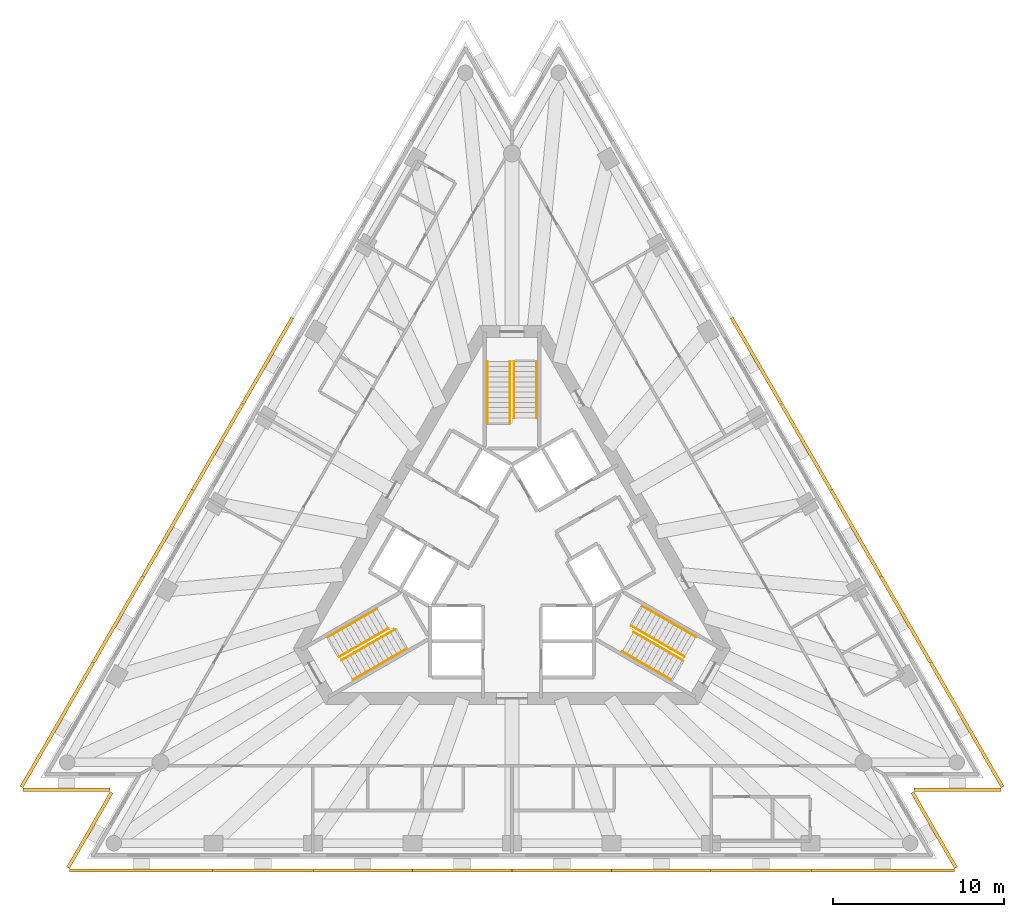
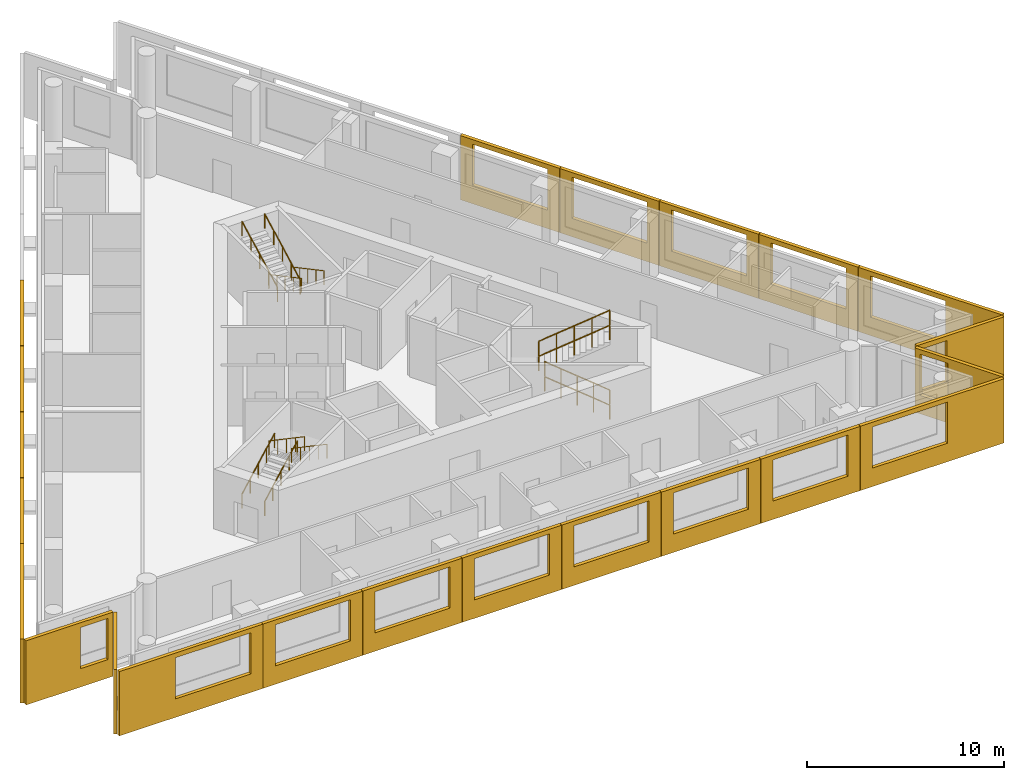
# One storey, part 9 of 10: 22 shading devices, 12 railings, 3 elements without a shape of their own.
"""IFC4 building model written with IfcOpenShell, lengths in metres."""

from ifc_helpers import new_model, si_unit, direction, frame, origin, origin_2d, place, context, subcontext, project, spatial, polyline, circle, outline, extrude, material, layer, layer_set, type_object, element, aggregate, save


model = new_model("IFC4")

# Units and contexts
model_context = context("Model", 3, precision=1e-05, world=origin(), true_north=direction((0.0, 1.0)))
body_context = subcontext(model_context, "Body", "Model", "MODEL_VIEW")
ifc_project = project(units=[si_unit("LENGTHUNIT", "METRE"), si_unit("AREAUNIT", "SQUARE_METRE"), si_unit("VOLUMEUNIT", "CUBIC_METRE"), si_unit("PLANEANGLEUNIT", "RADIAN"), si_unit("MASSUNIT", "GRAM", prefix="KILO")], contexts=[model_context])

# Site, building, storey
site_placement = place(None, origin())
site = spatial("IfcSite", under=ifc_project, at=site_placement, CompositionType="ELEMENT")
building_placement = place(site_placement, origin())
building = spatial("IfcBuilding", under=site, at=building_placement, Name="Triada Interchange Tower", CompositionType="ELEMENT")
storey_placement = place(building_placement, frame((0.0, 0.0, 239.300048828125)))
storey = spatial("IfcBuildingStorey", under=building, at=storey_placement, Name="L56", CompositionType="ELEMENT", Elevation=239.300048828125)

# Shading devices
ifc_material_1 = material(Name="Concrete C50/60 precast", Category="concrete")
ifc_layer_1 = layer(ifc_material_1, 0.02001953125, Name="Exposed aggregate face")
ifc_layer_2 = layer(ifc_material_1, 0.179931640625, Name="Precast concrete screen")
ifc_layer_set = layer_set([ifc_layer_1, ifc_layer_2], Name="Outer skin screen panel 3980")
shading_device_type = type_object("IfcShadingDeviceType", Name="Outer skin screen panel 3980", PredefinedType="SHUTTER", material=ifc_layer_set)
shading_device_1_placement = place(storey_placement, frame((-12.784912109375, 14.10498046875, -0.2900390625), z_axis=(0.0, 0.0, 1.0), x_axis=(-0.499956362902, -0.866050596209, 0.0)))
element("IfcShadingDevice", 1, at=shading_device_1_placement, inside=storey, type_object=shading_device_type, Name="Outer skin screen panel L56 04", PredefinedType="SHUTTER", context=body_context, shape_type="SweptSolid", body=[
    extrude(outline(polyline([(0.0, 0.0), (5.8125, 0.0), (5.8125, 3.97998046875), (0.0, 3.97998046875), (0.0, 0.0)]), holes=[polyline([(0.70654296875, 1.139892578125), (0.70654296875, 3.68994140625), (5.106689453125, 3.68994140625), (5.106689453125, 1.139892578125), (0.70654296875, 1.139892578125)])]), frame((0.0, 0.0, 0.0), z_axis=(0.0, -1.0, 0.0), x_axis=(1.0, 0.0, 0.0)), (0.0, 0.0, 1.0), 0.199951171875),
])
shading_device_2_placement = place(storey_placement, frame((-15.700927734375, 9.052978515625, -0.2900390625), z_axis=(0.0, 0.0, 1.0), x_axis=(-0.499956362902, -0.866050596209, 0.0)))
element("IfcShadingDevice", 2, at=shading_device_2_placement, inside=storey, type_object=shading_device_type, Name="Outer skin screen panel L56 05", PredefinedType="SHUTTER", context=body_context, shape_type="SweptSolid", body=[
    extrude(outline(polyline([(0.0, 0.0), (5.8125, 0.0), (5.8125, 3.97998046875), (0.0, 3.97998046875), (0.0, 0.0)]), holes=[polyline([(0.7060546875, 1.139892578125), (0.7060546875, 3.68994140625), (5.10595703125, 3.68994140625), (5.10595703125, 1.139892578125), (0.7060546875, 1.139892578125)])]), frame((0.0, 0.0, 0.0), z_axis=(0.0, -1.0, 0.0), x_axis=(1.0, 0.0, 0.0)), (0.0, 0.0, 1.0), 0.199951171875),
])
shading_device_3_placement = place(storey_placement, frame((-18.616943359375, 4.001953125, -0.2900390625), z_axis=(0.0, 0.0, 1.0), x_axis=(-0.500082362009, -0.865977846834, 0.0)))
element("IfcShadingDevice", 3, at=shading_device_3_placement, inside=storey, type_object=shading_device_type, Name="Outer skin screen panel L56 06", PredefinedType="SHUTTER", context=body_context, shape_type="SweptSolid", body=[
    extrude(outline(polyline([(0.0, 0.0), (5.81298828125, 0.0), (5.81298828125, 3.97998046875), (0.0, 3.97998046875), (0.0, 0.0)]), holes=[polyline([(0.706298828125, 1.139892578125), (0.706298828125, 3.68994140625), (5.106201171875, 3.68994140625), (5.106201171875, 1.139892578125), (0.706298828125, 1.139892578125)])]), frame((0.0, 0.0, 0.0), z_axis=(0.0, -1.0, 0.0), x_axis=(1.0, 0.0, 0.0)), (0.0, 0.0, 1.0), 0.199951171875),
])
shading_device_4_placement = place(storey_placement, frame((-21.533935546875, -1.049072265625, -0.2900390625), z_axis=(0.0, 0.0, 1.0), x_axis=(-0.499956362902, -0.866050596209, 0.0)))
element("IfcShadingDevice", 4, at=shading_device_4_placement, inside=storey, type_object=shading_device_type, Name="Outer skin screen panel L56 07", PredefinedType="SHUTTER", context=body_context, shape_type="SweptSolid", body=[
    extrude(outline(polyline([(0.0, 0.0), (5.8125, 0.0), (5.8125, 3.97998046875), (0.0, 3.97998046875), (0.0, 0.0)]), holes=[polyline([(0.706787109375, 1.139892578125), (0.706787109375, 3.68994140625), (5.106689453125, 3.68994140625), (5.106689453125, 1.139892578125), (0.706787109375, 1.139892578125)])]), frame((0.0, 0.0, 0.0), z_axis=(0.0, -1.0, 0.0), x_axis=(1.0, 0.0, 0.0)), (0.0, 0.0, 1.0), 0.199951171875),
])
shading_device_5_placement = place(storey_placement, frame((-24.449951171875, -6.10009765625, -0.2900390625), z_axis=(0.0, 0.0, 1.0), x_axis=(-0.499972889028, -0.866041055745, 0.0)))
element("IfcShadingDevice", 5, at=shading_device_5_placement, inside=storey, type_object=shading_device_type, Name="Outer skin screen panel L56 08", PredefinedType="SHUTTER", context=body_context, shape_type="SweptSolid", body=[
    extrude(outline(polyline([(0.0, 0.0), (8.41064453125, 0.0), (8.41064453125, 3.97998046875), (0.0, 3.97998046875), (0.0, 0.0)]), holes=[polyline([(0.7060546875, 1.139892578125), (0.7060546875, 3.68994140625), (5.106201171875, 3.68994140625), (5.106201171875, 1.139892578125), (0.7060546875, 1.139892578125)])]), frame((0.0, 0.0, 0.0), z_axis=(0.0, -1.0, 0.0), x_axis=(1.0, 0.0, 0.0)), (0.0, 0.0, 1.0), 0.199951171875),
])
shading_device_6_placement = place(storey_placement, frame((-28.64990234375, -13.39306640625, -0.2900390625), z_axis=(0.0, 0.0, 1.0), x_axis=(1.0, 0.0, 0.0)))
element("IfcShadingDevice", 6, at=shading_device_6_placement, inside=storey, type_object=shading_device_type, Name="Outer skin screen panel L56 09", PredefinedType="SHUTTER", context=body_context, shape_type="SweptSolid", body=[
    extrude(outline(polyline([(0.0, 0.0), (5.096923828125, 0.0), (5.096923828125, 3.97998046875), (0.0, 3.97998046875), (0.0, 0.0)]), holes=[polyline([(3.175048828125, 1.139892578125), (3.175048828125, 3.68994140625), (4.797119140625, 3.68994140625), (4.797119140625, 1.139892578125), (3.175048828125, 1.139892578125)])]), frame((0.0, 0.0, 0.0), z_axis=(0.0, -1.0, 0.0), x_axis=(1.0, 0.0, 0.0)), (0.0, 0.0, 1.0), 0.199951171875),
])
shading_device_7_placement = place(storey_placement, frame((-23.375, -13.701904296875, -0.2900390625), z_axis=(0.0, 0.0, 1.0), x_axis=(-0.500029339395, -0.866008464014, 0.0)))
element("IfcShadingDevice", 7, at=shading_device_7_placement, inside=storey, type_object=shading_device_type, Name="Outer skin screen panel L56 10", PredefinedType="SHUTTER", context=body_context, shape_type="SweptSolid", body=[
    extrude(outline(polyline([(0.0, 0.0), (5.095947265625, 0.0), (5.095947265625, 3.97998046875), (0.0, 3.97998046875), (0.0, 0.0)]), holes=[polyline([(0.300048828125, 1.139892578125), (0.300048828125, 3.68994140625), (1.7578125, 3.68994140625), (1.7578125, 1.139892578125), (0.300048828125, 1.139892578125)])]), frame((0.0, 0.0, 0.0), z_axis=(0.0, -1.0, 0.0), x_axis=(1.0, 0.0, 0.0)), (0.0, 0.0, 1.0), 0.199951171875),
])
shading_device_8_placement = place(storey_placement, frame((-25.91796875, -18.1240234375, -0.2900390625), z_axis=(0.0, 0.0, 1.0), x_axis=(1.0, 0.0, 0.0)))
element("IfcShadingDevice", 8, at=shading_device_8_placement, inside=storey, type_object=shading_device_type, Name="Outer skin screen panel L56 11", PredefinedType="SHUTTER", context=body_context, shape_type="SweptSolid", body=[
    extrude(outline(polyline([(0.0, 0.0), (8.409912109375, 0.0), (8.409912109375, 3.97998046875), (0.0, 3.97998046875), (0.0, 0.0)]), holes=[polyline([(3.303955078125, 1.139892578125), (3.303955078125, 3.68994140625), (7.7041015625, 3.68994140625), (7.7041015625, 1.139892578125), (3.303955078125, 1.139892578125)])]), frame((0.0, 0.0, 0.0), z_axis=(0.0, -1.0, 0.0), x_axis=(1.0, 0.0, 0.0)), (0.0, 0.0, 1.0), 0.199951171875),
])
shading_device_9_placement = place(storey_placement, frame((-17.487060546875, -18.1240234375, -0.2900390625), z_axis=(0.0, 0.0, 1.0), x_axis=(1.0, 0.0, 0.0)))
element("IfcShadingDevice", 9, at=shading_device_9_placement, inside=storey, type_object=shading_device_type, Name="Outer skin screen panel L56 12", PredefinedType="SHUTTER", context=body_context, shape_type="SweptSolid", body=[
    extrude(outline(polyline([(0.0, 0.0), (5.81201171875, 0.0), (5.81201171875, 3.97998046875), (0.0, 3.97998046875), (0.0, 0.0)]), holes=[polyline([(0.70654296875, 1.139892578125), (0.70654296875, 3.68994140625), (5.1064453125, 3.68994140625), (5.1064453125, 1.139892578125), (0.70654296875, 1.139892578125)])]), frame((0.0, 0.0, 0.0), z_axis=(0.0, -1.0, 0.0), x_axis=(1.0, 0.0, 0.0)), (0.0, 0.0, 1.0), 0.199951171875),
])
shading_device_10_placement = place(storey_placement, frame((-11.655029296875, -18.1240234375, -0.2900390625), z_axis=(0.0, 0.0, 1.0), x_axis=(1.0, 0.0, 0.0)))
element("IfcShadingDevice", 10, at=shading_device_10_placement, inside=storey, type_object=shading_device_type, Name="Outer skin screen panel L56 13", PredefinedType="SHUTTER", context=body_context, shape_type="SweptSolid", body=[
    extrude(outline(polyline([(0.0, 0.0), (5.81201171875, 0.0), (5.81201171875, 3.97998046875), (0.0, 3.97998046875), (0.0, 0.0)]), holes=[polyline([(0.7060546875, 1.139892578125), (0.7060546875, 3.68994140625), (5.10595703125, 3.68994140625), (5.10595703125, 1.139892578125), (0.7060546875, 1.139892578125)])]), frame((0.0, 0.0, 0.0), z_axis=(0.0, -1.0, 0.0), x_axis=(1.0, 0.0, 0.0)), (0.0, 0.0, 1.0), 0.199951171875),
])
shading_device_11_placement = place(storey_placement, frame((-5.822021484375, -18.1240234375, -0.2900390625), z_axis=(0.0, 0.0, 1.0), x_axis=(1.0, 0.0, 0.0)))
element("IfcShadingDevice", 11, at=shading_device_11_placement, inside=storey, type_object=shading_device_type, Name="Outer skin screen panel L56 14", PredefinedType="SHUTTER", context=body_context, shape_type="SweptSolid", body=[
    extrude(outline(polyline([(0.0, 0.0), (5.81201171875, 0.0), (5.81201171875, 3.97998046875), (0.0, 3.97998046875), (0.0, 0.0)]), holes=[polyline([(0.70654296875, 1.139892578125), (0.70654296875, 3.68994140625), (5.1064453125, 3.68994140625), (5.1064453125, 1.139892578125), (0.70654296875, 1.139892578125)])]), frame((0.0, 0.0, 0.0), z_axis=(0.0, -1.0, 0.0), x_axis=(1.0, 0.0, 0.0)), (0.0, 0.0, 1.0), 0.199951171875),
])
shading_device_12_placement = place(storey_placement, frame((0.010009765625, -18.1240234375, -0.2900390625), z_axis=(0.0, 0.0, 1.0), x_axis=(1.0, 0.0, 0.0)))
element("IfcShadingDevice", 12, at=shading_device_12_placement, inside=storey, type_object=shading_device_type, Name="Outer skin screen panel L56 15", PredefinedType="SHUTTER", context=body_context, shape_type="SweptSolid", body=[
    extrude(outline(polyline([(0.0, 0.0), (5.81201171875, 0.0), (5.81201171875, 3.97998046875), (0.0, 3.97998046875), (0.0, 0.0)]), holes=[polyline([(0.7060546875, 1.139892578125), (0.7060546875, 3.68994140625), (5.10595703125, 3.68994140625), (5.10595703125, 1.139892578125), (0.7060546875, 1.139892578125)])]), frame((0.0, 0.0, 0.0), z_axis=(0.0, -1.0, 0.0), x_axis=(1.0, 0.0, 0.0)), (0.0, 0.0, 1.0), 0.199951171875),
])
shading_device_13_placement = place(storey_placement, frame((5.843017578125, -18.1240234375, -0.2900390625), z_axis=(0.0, 0.0, 1.0), x_axis=(1.0, 0.0, 0.0)))
element("IfcShadingDevice", 13, at=shading_device_13_placement, inside=storey, type_object=shading_device_type, Name="Outer skin screen panel L56 16", PredefinedType="SHUTTER", context=body_context, shape_type="SweptSolid", body=[
    extrude(outline(polyline([(0.0, 0.0), (5.81201171875, 0.0), (5.81201171875, 3.97998046875), (0.0, 3.97998046875), (0.0, 0.0)]), holes=[polyline([(0.70654296875, 1.139892578125), (0.70654296875, 3.68994140625), (5.1064453125, 3.68994140625), (5.1064453125, 1.139892578125), (0.70654296875, 1.139892578125)])]), frame((0.0, 0.0, 0.0), z_axis=(0.0, -1.0, 0.0), x_axis=(1.0, 0.0, 0.0)), (0.0, 0.0, 1.0), 0.199951171875),
])
shading_device_14_placement = place(storey_placement, frame((11.675048828125, -18.1240234375, -0.2900390625), z_axis=(0.0, 0.0, 1.0), x_axis=(1.0, 0.0, 0.0)))
element("IfcShadingDevice", 14, at=shading_device_14_placement, inside=storey, type_object=shading_device_type, Name="Outer skin screen panel L56 17", PredefinedType="SHUTTER", context=body_context, shape_type="SweptSolid", body=[
    extrude(outline(polyline([(0.0, 0.0), (5.81298828125, 0.0), (5.81298828125, 3.97998046875), (0.0, 3.97998046875), (0.0, 0.0)]), holes=[polyline([(0.7060546875, 1.139892578125), (0.7060546875, 3.68994140625), (5.10595703125, 3.68994140625), (5.10595703125, 1.139892578125), (0.7060546875, 1.139892578125)])]), frame((0.0, 0.0, 0.0), z_axis=(0.0, -1.0, 0.0), x_axis=(1.0, 0.0, 0.0)), (0.0, 0.0, 1.0), 0.199951171875),
])
shading_device_15_placement = place(storey_placement, frame((17.507080078125, -18.1240234375, -0.2900390625), z_axis=(0.0, 0.0, 1.0), x_axis=(1.0, 0.0, 0.0)))
element("IfcShadingDevice", 15, at=shading_device_15_placement, inside=storey, type_object=shading_device_type, Name="Outer skin screen panel L56 18", PredefinedType="SHUTTER", context=body_context, shape_type="SweptSolid", body=[
    extrude(outline(polyline([(0.0, 0.0), (8.410888671875, 0.0), (8.410888671875, 3.97998046875), (0.0, 3.97998046875), (0.0, 0.0)]), holes=[polyline([(0.70654296875, 1.139892578125), (0.70654296875, 3.68994140625), (5.1064453125, 3.68994140625), (5.1064453125, 1.139892578125), (0.70654296875, 1.139892578125)])]), frame((0.0, 0.0, 0.0), z_axis=(0.0, -1.0, 0.0), x_axis=(1.0, 0.0, 0.0)), (0.0, 0.0, 1.0), 0.199951171875),
])
shading_device_16_placement = place(storey_placement, frame((25.923095703125, -18.114990234375, -0.2900390625), z_axis=(0.0, 0.0, 1.0), x_axis=(-0.500029339395, 0.866008464014, 0.0)))
element("IfcShadingDevice", 16, at=shading_device_16_placement, inside=storey, type_object=shading_device_type, Name="Outer skin screen panel L56 19", PredefinedType="SHUTTER", context=body_context, shape_type="SweptSolid", body=[
    extrude(outline(polyline([(0.0, 0.0), (5.095947265625, 0.0), (5.095947265625, 3.97998046875), (0.0, 3.97998046875), (0.0, 0.0)]), holes=[polyline([(3.17529296875, 1.139892578125), (3.17529296875, 3.68994140625), (4.79638671875, 3.68994140625), (4.79638671875, 1.139892578125), (3.17529296875, 1.139892578125)])]), frame((0.0, 0.0, 0.0), z_axis=(0.0, -1.0, 0.0), x_axis=(1.0, 0.0, 0.0)), (0.0, 0.0, 1.0), 0.199951171875),
])
shading_device_17_placement = place(storey_placement, frame((23.552978515625, -13.39306640625, -0.2900390625), z_axis=(0.0, 0.0, 1.0), x_axis=(1.0, 0.0, 0.0)))
element("IfcShadingDevice", 17, at=shading_device_17_placement, inside=storey, type_object=shading_device_type, Name="Outer skin screen panel L56 20", PredefinedType="SHUTTER", context=body_context, shape_type="SweptSolid", body=[
    extrude(outline(polyline([(0.0, 0.0), (5.096923828125, 0.0), (5.096923828125, 3.97998046875), (0.0, 3.97998046875), (0.0, 0.0)]), holes=[polyline([(0.300048828125, 1.139892578125), (0.300048828125, 3.68994140625), (1.758056640625, 3.68994140625), (1.758056640625, 1.139892578125), (0.300048828125, 1.139892578125)])]), frame((0.0, 0.0, 0.0), z_axis=(0.0, -1.0, 0.0), x_axis=(1.0, 0.0, 0.0)), (0.0, 0.0, 1.0), 0.199951171875),
])
shading_device_18_placement = place(storey_placement, frame((28.655029296875, -13.384033203125, -0.2900390625), z_axis=(0.0, 0.0, 1.0), x_axis=(-0.499972889028, 0.866041055745, 0.0)))
element("IfcShadingDevice", 18, at=shading_device_18_placement, inside=storey, type_object=shading_device_type, Name="Outer skin screen panel L56 21", PredefinedType="SHUTTER", context=body_context, shape_type="SweptSolid", body=[
    extrude(outline(polyline([(0.0, 0.0), (8.41064453125, 0.0), (8.41064453125, 3.97998046875), (0.0, 3.97998046875), (0.0, 0.0)]), holes=[polyline([(3.30419921875, 1.139892578125), (3.30419921875, 3.68994140625), (7.704345703125, 3.68994140625), (7.704345703125, 1.139892578125), (3.30419921875, 1.139892578125)])]), frame((0.0, 0.0, 0.0), z_axis=(0.0, -1.0, 0.0), x_axis=(1.0, 0.0, 0.0)), (0.0, 0.0, 1.0), 0.199951171875),
])
shading_device_19_placement = place(storey_placement, frame((24.43994140625, -6.0830078125, -0.2900390625), z_axis=(0.0, 0.0, 1.0), x_axis=(-0.499956362902, 0.866050596209, 0.0)))
element("IfcShadingDevice", 19, at=shading_device_19_placement, inside=storey, type_object=shading_device_type, Name="Outer skin screen panel L56 22", PredefinedType="SHUTTER", context=body_context, shape_type="SweptSolid", body=[
    extrude(outline(polyline([(0.0, 0.0), (5.8125, 0.0), (5.8125, 3.97998046875), (0.0, 3.97998046875), (0.0, 0.0)]), holes=[polyline([(0.70654296875, 1.139892578125), (0.70654296875, 3.68994140625), (5.106689453125, 3.68994140625), (5.106689453125, 1.139892578125), (0.70654296875, 1.139892578125)])]), frame((0.0, 0.0, 0.0), z_axis=(0.0, -1.0, 0.0), x_axis=(1.0, 0.0, 0.0)), (0.0, 0.0, 1.0), 0.199951171875),
])
shading_device_20_placement = place(storey_placement, frame((21.52392578125, -1.031982421875, -0.2900390625), z_axis=(0.0, 0.0, 1.0), x_axis=(-0.500082362009, 0.865977846834, 0.0)))
element("IfcShadingDevice", 20, at=shading_device_20_placement, inside=storey, type_object=shading_device_type, Name="Outer skin screen panel L56 23", PredefinedType="SHUTTER", context=body_context, shape_type="SweptSolid", body=[
    extrude(outline(polyline([(0.0, 0.0), (5.81298828125, 0.0), (5.81298828125, 3.97998046875), (0.0, 3.97998046875), (0.0, 0.0)]), holes=[polyline([(0.7060546875, 1.139892578125), (0.7060546875, 3.68994140625), (5.10595703125, 3.68994140625), (5.10595703125, 1.139892578125), (0.7060546875, 1.139892578125)])]), frame((0.0, 0.0, 0.0), z_axis=(0.0, -1.0, 0.0), x_axis=(1.0, 0.0, 0.0)), (0.0, 0.0, 1.0), 0.199951171875),
])
shading_device_21_placement = place(storey_placement, frame((18.60693359375, 4.01904296875, -0.2900390625), z_axis=(0.0, 0.0, 1.0), x_axis=(-0.499956362902, 0.866050596209, 0.0)))
element("IfcShadingDevice", 21, at=shading_device_21_placement, inside=storey, type_object=shading_device_type, Name="Outer skin screen panel L56 24", PredefinedType="SHUTTER", context=body_context, shape_type="SweptSolid", body=[
    extrude(outline(polyline([(0.0, 0.0), (5.8125, 0.0), (5.8125, 3.97998046875), (0.0, 3.97998046875), (0.0, 0.0)]), holes=[polyline([(0.706298828125, 1.139892578125), (0.706298828125, 3.68994140625), (5.106201171875, 3.68994140625), (5.106201171875, 1.139892578125), (0.706298828125, 1.139892578125)])]), frame((0.0, 0.0, 0.0), z_axis=(0.0, -1.0, 0.0), x_axis=(1.0, 0.0, 0.0)), (0.0, 0.0, 1.0), 0.199951171875),
])
shading_device_22_placement = place(storey_placement, frame((15.69091796875, 9.071044921875, -0.2900390625), z_axis=(0.0, 0.0, 1.0), x_axis=(-0.499956362902, 0.866050596209, 0.0)))
element("IfcShadingDevice", 22, at=shading_device_22_placement, inside=storey, type_object=shading_device_type, Name="Outer skin screen panel L56 25", PredefinedType="SHUTTER", context=body_context, shape_type="SweptSolid", body=[
    extrude(outline(polyline([(0.0, 0.0), (5.8125, 0.0), (5.8125, 3.97998046875), (0.0, 3.97998046875), (0.0, 0.0)]), holes=[polyline([(0.706787109375, 1.139892578125), (0.706787109375, 3.68994140625), (5.106689453125, 3.68994140625), (5.106689453125, 1.139892578125), (0.706787109375, 1.139892578125)])]), frame((0.0, 0.0, 0.0), z_axis=(0.0, -1.0, 0.0), x_axis=(1.0, 0.0, 0.0)), (0.0, 0.0, 1.0), 0.199951171875),
])

# Stair, railings
ifc_material_2 = material(Name="Concrete C35/45", Category="concrete")
stair_type = type_object("IfcStairType", Name="HALF TURN STAIR 1400", PredefinedType="HALF_TURN_STAIR", material=ifc_material_2)
stair_1_placement = place(storey_placement, origin())
stair_1 = element("IfcStair", 23, at=stair_1_placement, inside=storey, type_object=stair_type, Name="Exit stair S56-1", PredefinedType="HALF_TURN_STAIR")
ifc_material_3 = material(Name="Stainless steel 1.4301", Category="steel")
railing_type = type_object("IfcRailingType", Name="STAIR HANDRAIL 900", PredefinedType="HANDRAIL", material=ifc_material_3)
railing_1_placement = place(storey_placement, frame((1.449951171875, 11.60009765625, 0.159912109375)))
railing_1 = element("IfcRailing", 24, at=railing_1_placement, type_object=railing_type, Name="Handrail S56-1 1W", PredefinedType="HANDRAIL", context=body_context, shape_type="SweptSolid", body=[
    extrude(circle(Radius=0.02392578125, at=origin_2d()), frame((0.0, 0.0, 0.8759765625), z_axis=(0.0, -0.882354748157, 0.47058484719), x_axis=(1.0, 0.0, 0.0)), (0.0, 0.0, 1.0), 3.739990234375),
    extrude(circle(Radius=0.02099609375, at=origin_2d()), origin(), (0.0, 0.0, 1.0), 0.851806640625),
    extrude(circle(Radius=0.02099609375, at=origin_2d()), frame((0.0, -0.824951171875, 0.43994140625)), (0.0, 0.0, 1.0), 0.851806640625),
    extrude(circle(Radius=0.02099609375, at=origin_2d()), frame((0.0, -1.64990234375, 0.8798828125)), (0.0, 0.0, 1.0), 0.851806640625),
    extrude(circle(Radius=0.02099609375, at=origin_2d()), frame((0.0, -2.47509765625, 1.320068359375)), (0.0, 0.0, 1.0), 0.851806640625),
    extrude(circle(Radius=0.02099609375, at=origin_2d()), frame((0.0, -3.300048828125, 1.760009765625)), (0.0, 0.0, 1.0), 0.851806640625),
])
railing_2_placement = place(storey_placement, frame((0.1201171875, 11.60009765625, 0.159912109375)))
railing_2 = element("IfcRailing", 25, at=railing_2_placement, type_object=railing_type, Name="Handrail S56-1 1C", PredefinedType="HANDRAIL", context=body_context, shape_type="SweptSolid", body=[
    extrude(circle(Radius=0.02392578125, at=origin_2d()), frame((0.0, 0.0, 0.8759765625), z_axis=(0.0, -0.882354748157, 0.47058484719), x_axis=(1.0, 0.0, 0.0)), (0.0, 0.0, 1.0), 3.739990234375),
    extrude(circle(Radius=0.02099609375, at=origin_2d()), origin(), (0.0, 0.0, 1.0), 0.851806640625),
    extrude(circle(Radius=0.02099609375, at=origin_2d()), frame((0.0, -0.824951171875, 0.43994140625)), (0.0, 0.0, 1.0), 0.851806640625),
    extrude(circle(Radius=0.02099609375, at=origin_2d()), frame((0.0, -1.64990234375, 0.8798828125)), (0.0, 0.0, 1.0), 0.851806640625),
    extrude(circle(Radius=0.02099609375, at=origin_2d()), frame((0.0, -2.47509765625, 1.320068359375)), (0.0, 0.0, 1.0), 0.851806640625),
    extrude(circle(Radius=0.02099609375, at=origin_2d()), frame((0.0, -3.300048828125, 1.760009765625)), (0.0, 0.0, 1.0), 0.851806640625),
])
railing_3_placement = place(storey_placement, frame((-1.449951171875, 8.0, 2.079833984375)))
railing_3 = element("IfcRailing", 26, at=railing_3_placement, type_object=railing_type, Name="Handrail S56-1 2W", PredefinedType="HANDRAIL", context=body_context, shape_type="SweptSolid", body=[
    extrude(circle(Radius=0.02392578125, at=origin_2d()), frame((0.0, 0.0, 0.8759765625), z_axis=(0.0, 0.882341346394, 0.470609974867), x_axis=(-1.0, 0.0, 0.0)), (0.0, 0.0, 1.0), 4.080078125),
    extrude(circle(Radius=0.02099609375, at=origin_2d()), origin(), (0.0, 0.0, 1.0), 0.851806640625),
    extrude(circle(Radius=0.02099609375, at=origin_2d()), frame((0.0, 0.89990234375, 0.47998046875)), (0.0, 0.0, 1.0), 0.851806640625),
    extrude(circle(Radius=0.02099609375, at=origin_2d()), frame((0.0, 1.800048828125, 0.9599609375)), (0.0, 0.0, 1.0), 0.851806640625),
    extrude(circle(Radius=0.02099609375, at=origin_2d()), frame((0.0, 2.7001953125, 1.440185546875)), (0.0, 0.0, 1.0), 0.851806640625),
    extrude(circle(Radius=0.02099609375, at=origin_2d()), frame((0.0, 3.60009765625, 1.920166015625)), (0.0, 0.0, 1.0), 0.851806640625),
])
railing_4_placement = place(storey_placement, frame((-0.1201171875, 8.0, 2.079833984375)))
railing_4 = element("IfcRailing", 27, at=railing_4_placement, type_object=railing_type, Name="Handrail S56-1 2C", PredefinedType="HANDRAIL", context=body_context, shape_type="SweptSolid", body=[
    extrude(circle(Radius=0.02392578125, at=origin_2d()), frame((0.0, 0.0, 0.8759765625), z_axis=(0.0, 0.882341346394, 0.470609974867), x_axis=(-1.0, 0.0, 0.0)), (0.0, 0.0, 1.0), 4.080078125),
    extrude(circle(Radius=0.02099609375, at=origin_2d()), origin(), (0.0, 0.0, 1.0), 0.851806640625),
    extrude(circle(Radius=0.02099609375, at=origin_2d()), frame((0.0, 0.89990234375, 0.47998046875)), (0.0, 0.0, 1.0), 0.851806640625),
    extrude(circle(Radius=0.02099609375, at=origin_2d()), frame((0.0, 1.800048828125, 0.9599609375)), (0.0, 0.0, 1.0), 0.851806640625),
    extrude(circle(Radius=0.02099609375, at=origin_2d()), frame((0.0, 2.7001953125, 1.440185546875)), (0.0, 0.0, 1.0), 0.851806640625),
    extrude(circle(Radius=0.02099609375, at=origin_2d()), frame((0.0, 3.60009765625, 1.920166015625)), (0.0, 0.0, 1.0), 0.851806640625),
])
aggregate(stair_1, [railing_1, railing_2, railing_3, railing_4])

stair_2_placement = place(storey_placement, origin())
stair_2 = element("IfcStair", 28, at=stair_2_placement, inside=storey, type_object=stair_type, Name="Exit stair S56-2", PredefinedType="HALF_TURN_STAIR")
railing_5_placement = place(storey_placement, frame((-10.77099609375, -4.5439453125, 0.159912109375)))
railing_5 = element("IfcRailing", 29, at=railing_5_placement, type_object=railing_type, Name="Handrail S56-2 1W", PredefinedType="HANDRAIL", context=body_context, shape_type="SweptSolid", body=[
    extrude(circle(Radius=0.02392578125, at=origin_2d()), frame((0.0, 0.0, 0.8759765625), z_axis=(0.764150854273, 0.441152526326, 0.470593158077), x_axis=(-0.499974350878, 0.866040211805, 0.0)), (0.0, 0.0, 1.0), 3.739990234375),
    extrude(circle(Radius=0.02099609375, at=origin_2d()), origin(), (0.0, 0.0, 1.0), 0.851806640625),
    extrude(circle(Radius=0.02099609375, at=origin_2d()), frame((0.71435546875, 0.41259765625, 0.43994140625)), (0.0, 0.0, 1.0), 0.851806640625),
    extrude(circle(Radius=0.02099609375, at=origin_2d()), frame((1.428955078125, 0.824951171875, 0.8798828125)), (0.0, 0.0, 1.0), 0.851806640625),
    extrude(circle(Radius=0.02099609375, at=origin_2d()), frame((2.1435546875, 1.2373046875, 1.320068359375)), (0.0, 0.0, 1.0), 0.851806640625),
    extrude(circle(Radius=0.02099609375, at=origin_2d()), frame((2.85791015625, 1.64990234375, 1.760009765625)), (0.0, 0.0, 1.0), 0.851806640625),
])
railing_6_placement = place(storey_placement, frame((-10.10595703125, -5.696044921875, 0.159912109375)))
railing_6 = element("IfcRailing", 30, at=railing_6_placement, type_object=railing_type, Name="Handrail S56-2 1C", PredefinedType="HANDRAIL", context=body_context, shape_type="SweptSolid", body=[
    extrude(circle(Radius=0.02392578125, at=origin_2d()), frame((0.0, 0.0, 0.8759765625), z_axis=(0.76412884773, 0.441205098395, 0.470579605611), x_axis=(-0.50002983664, 0.866008176907, 0.0)), (0.0, 0.0, 1.0), 3.739990234375),
    extrude(circle(Radius=0.02099609375, at=origin_2d()), origin(), (0.0, 0.0, 1.0), 0.851806640625),
    extrude(circle(Radius=0.02099609375, at=origin_2d()), frame((0.71435546875, 0.41259765625, 0.43994140625)), (0.0, 0.0, 1.0), 0.851806640625),
    extrude(circle(Radius=0.02099609375, at=origin_2d()), frame((1.428955078125, 0.8251953125, 0.8798828125)), (0.0, 0.0, 1.0), 0.851806640625),
    extrude(circle(Radius=0.02099609375, at=origin_2d()), frame((2.1435546875, 1.237548828125, 1.320068359375)), (0.0, 0.0, 1.0), 0.851806640625),
    extrude(circle(Radius=0.02099609375, at=origin_2d()), frame((2.85791015625, 1.650146484375, 1.760009765625)), (0.0, 0.0, 1.0), 0.851806640625),
])
railing_7_placement = place(storey_placement, frame((-6.202880859375, -5.256103515625, 2.079833984375)))
railing_7 = element("IfcRailing", 31, at=railing_7_placement, type_object=railing_type, Name="Handrail S56-2 2W", PredefinedType="HANDRAIL", context=body_context, shape_type="SweptSolid", body=[
    extrude(circle(Radius=0.02392578125, at=origin_2d()), frame((0.0, 0.0, 0.8759765625), z_axis=(-0.764189758314, -0.441090424232, 0.470588196769), x_axis=(0.499902469156, -0.866081705922, 0.0)), (0.0, 0.0, 1.0), 4.080322265625),
    extrude(circle(Radius=0.02099609375, at=origin_2d()), origin(), (0.0, 0.0, 1.0), 0.851806640625),
    extrude(circle(Radius=0.02099609375, at=origin_2d()), frame((-0.779541015625, -0.449951171875, 0.47998046875)), (0.0, 0.0, 1.0), 0.851806640625),
    extrude(circle(Radius=0.02099609375, at=origin_2d()), frame((-1.55908203125, -0.89990234375, 0.9599609375)), (0.0, 0.0, 1.0), 0.851806640625),
    extrude(circle(Radius=0.02099609375, at=origin_2d()), frame((-2.338623046875, -1.349853515625, 1.440185546875)), (0.0, 0.0, 1.0), 0.851806640625),
    extrude(circle(Radius=0.02099609375, at=origin_2d()), frame((-3.1181640625, -1.7998046875, 1.920166015625)), (0.0, 0.0, 1.0), 0.851806640625),
])
railing_8_placement = place(storey_placement, frame((-6.867919921875, -4.10400390625, 2.079833984375)))
railing_8 = element("IfcRailing", 32, at=railing_8_placement, type_object=railing_type, Name="Handrail S56-2 2C", PredefinedType="HANDRAIL", context=body_context, shape_type="SweptSolid", body=[
    extrude(circle(Radius=0.02392578125, at=origin_2d()), frame((0.0, 0.0, 0.8759765625), z_axis=(-0.764169589359, -0.441138614339, 0.470575776723), x_axis=(0.49995333141, -0.866052346231, 0.0)), (0.0, 0.0, 1.0), 4.08056640625),
    extrude(circle(Radius=0.02099609375, at=origin_2d()), origin(), (0.0, 0.0, 1.0), 0.851806640625),
    extrude(circle(Radius=0.02099609375, at=origin_2d()), frame((-0.779541015625, -0.449951171875, 0.47998046875)), (0.0, 0.0, 1.0), 0.851806640625),
    extrude(circle(Radius=0.02099609375, at=origin_2d()), frame((-1.55908203125, -0.89990234375, 0.9599609375)), (0.0, 0.0, 1.0), 0.851806640625),
    extrude(circle(Radius=0.02099609375, at=origin_2d()), frame((-2.338623046875, -1.35009765625, 1.440185546875)), (0.0, 0.0, 1.0), 0.851806640625),
    extrude(circle(Radius=0.02099609375, at=origin_2d()), frame((-3.1181640625, -1.800048828125, 1.920166015625)), (0.0, 0.0, 1.0), 0.851806640625),
])
aggregate(stair_2, [railing_5, railing_6, railing_7, railing_8])

stair_3_placement = place(storey_placement, origin())
stair_3 = element("IfcStair", 33, at=stair_3_placement, inside=storey, type_object=stair_type, Name="Exit stair S56-3", PredefinedType="HALF_TURN_STAIR")
railing_9_placement = place(storey_placement, frame((9.321044921875, -7.055908203125, 0.159912109375)))
railing_9 = element("IfcRailing", 34, at=railing_9_placement, type_object=railing_type, Name="Handrail S56-3 1W", PredefinedType="HANDRAIL", context=body_context, shape_type="SweptSolid", body=[
    extrude(circle(Radius=0.02392578125, at=origin_2d()), frame((0.0, 0.0, 0.8759765625), z_axis=(-0.764178012919, 0.441130521168, 0.470569684388), x_axis=(-0.499942318283, -0.866058703778, 0.0)), (0.0, 0.0, 1.0), 3.740234375),
    extrude(circle(Radius=0.02099609375, at=origin_2d()), origin(), (0.0, 0.0, 1.0), 0.851806640625),
    extrude(circle(Radius=0.02099609375, at=origin_2d()), frame((-0.714599609375, 0.41259765625, 0.43994140625)), (0.0, 0.0, 1.0), 0.851806640625),
    extrude(circle(Radius=0.02099609375, at=origin_2d()), frame((-1.42919921875, 0.824951171875, 0.8798828125)), (0.0, 0.0, 1.0), 0.851806640625),
    extrude(circle(Radius=0.02099609375, at=origin_2d()), frame((-2.1435546875, 1.2373046875, 1.320068359375)), (0.0, 0.0, 1.0), 0.851806640625),
    extrude(circle(Radius=0.02099609375, at=origin_2d()), frame((-2.858154296875, 1.64990234375, 1.760009765625)), (0.0, 0.0, 1.0), 0.851806640625),
])
railing_10_placement = place(storey_placement, frame((9.986083984375, -5.904052734375, 0.159912109375)))
railing_10 = element("IfcRailing", 35, at=railing_10_placement, type_object=railing_type, Name="Handrail S56-3 1C", PredefinedType="HANDRAIL", context=body_context, shape_type="SweptSolid", body=[
    extrude(circle(Radius=0.02392578125, at=origin_2d()), frame((0.0, 0.0, 0.8759765625), z_axis=(-0.764156007789, 0.441183091881, 0.47055613395), x_axis=(-0.49999780286, -0.8660266723, 0.0)), (0.0, 0.0, 1.0), 3.740234375),
    extrude(circle(Radius=0.02099609375, at=origin_2d()), origin(), (0.0, 0.0, 1.0), 0.851806640625),
    extrude(circle(Radius=0.02099609375, at=origin_2d()), frame((-0.714599609375, 0.41259765625, 0.43994140625)), (0.0, 0.0, 1.0), 0.851806640625),
    extrude(circle(Radius=0.02099609375, at=origin_2d()), frame((-1.42919921875, 0.8251953125, 0.8798828125)), (0.0, 0.0, 1.0), 0.851806640625),
    extrude(circle(Radius=0.02099609375, at=origin_2d()), frame((-2.1435546875, 1.237548828125, 1.320068359375)), (0.0, 0.0, 1.0), 0.851806640625),
    extrude(circle(Radius=0.02099609375, at=origin_2d()), frame((-2.858154296875, 1.650146484375, 1.760009765625)), (0.0, 0.0, 1.0), 0.851806640625),
])
railing_11_placement = place(storey_placement, frame((7.653076171875, -2.743896484375, 2.079833984375)))
railing_11 = element("IfcRailing", 36, at=railing_11_placement, type_object=railing_type, Name="Handrail S56-3 2W", PredefinedType="HANDRAIL", context=body_context, shape_type="SweptSolid", body=[
    extrude(circle(Radius=0.02392578125, at=origin_2d()), frame((0.0, 0.0, 0.8759765625), z_axis=(0.76414469501, -0.441158784458, 0.470597292793), x_axis=(0.499982693035, 0.866035395735, 0.0)), (0.0, 0.0, 1.0), 4.080322265625),
    extrude(circle(Radius=0.02099609375, at=origin_2d()), origin(), (0.0, 0.0, 1.0), 0.851806640625),
    extrude(circle(Radius=0.02099609375, at=origin_2d()), frame((0.779541015625, -0.449951171875, 0.47998046875)), (0.0, 0.0, 1.0), 0.851806640625),
    extrude(circle(Radius=0.02099609375, at=origin_2d()), frame((1.55908203125, -0.89990234375, 0.9599609375)), (0.0, 0.0, 1.0), 0.851806640625),
    extrude(circle(Radius=0.02099609375, at=origin_2d()), frame((2.33837890625, -1.35009765625, 1.440185546875)), (0.0, 0.0, 1.0), 0.851806640625),
    extrude(circle(Radius=0.02099609375, at=origin_2d()), frame((3.117919921875, -1.800048828125, 1.920166015625)), (0.0, 0.0, 1.0), 0.851806640625),
])
railing_12_placement = place(storey_placement, frame((6.988037109375, -3.89599609375, 2.079833984375)))
railing_12 = element("IfcRailing", 37, at=railing_12_placement, type_object=railing_type, Name="Handrail S56-3 2C", PredefinedType="HANDRAIL", context=body_context, shape_type="SweptSolid", body=[
    extrude(circle(Radius=0.02392578125, at=origin_2d()), frame((0.0, 0.0, 0.8759765625), z_axis=(0.76414469501, -0.441158784458, 0.470597292793), x_axis=(0.499982693035, 0.866035395735, 0.0)), (0.0, 0.0, 1.0), 4.080322265625),
    extrude(circle(Radius=0.02099609375, at=origin_2d()), origin(), (0.0, 0.0, 1.0), 0.851806640625),
    extrude(circle(Radius=0.02099609375, at=origin_2d()), frame((0.779541015625, -0.449951171875, 0.47998046875)), (0.0, 0.0, 1.0), 0.851806640625),
    extrude(circle(Radius=0.02099609375, at=origin_2d()), frame((1.55908203125, -0.89990234375, 0.9599609375)), (0.0, 0.0, 1.0), 0.851806640625),
    extrude(circle(Radius=0.02099609375, at=origin_2d()), frame((2.33837890625, -1.35009765625, 1.440185546875)), (0.0, 0.0, 1.0), 0.851806640625),
    extrude(circle(Radius=0.02099609375, at=origin_2d()), frame((3.117919921875, -1.800048828125, 1.920166015625)), (0.0, 0.0, 1.0), 0.851806640625),
])
aggregate(stair_3, [railing_9, railing_10, railing_11, railing_12])

save(model, "model.ifc")
